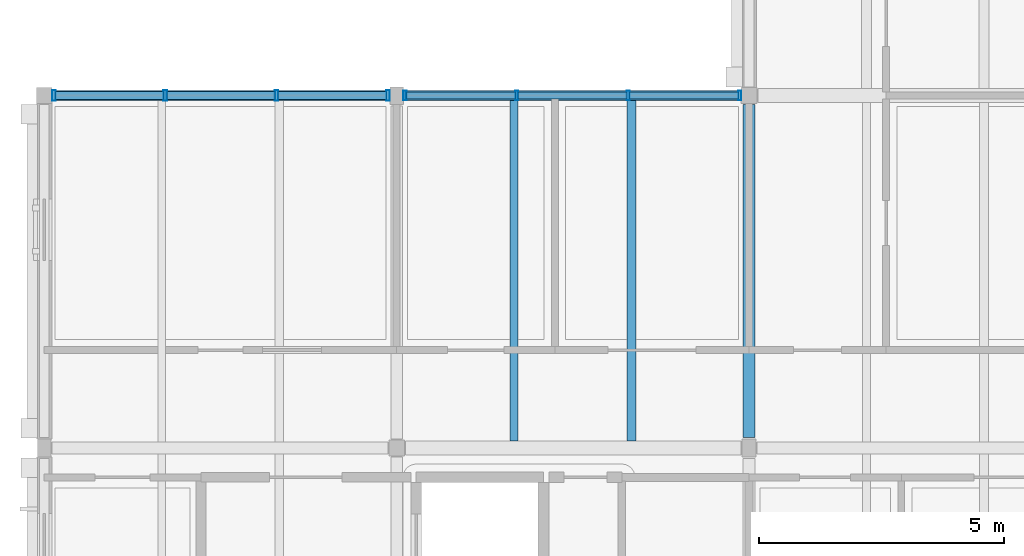
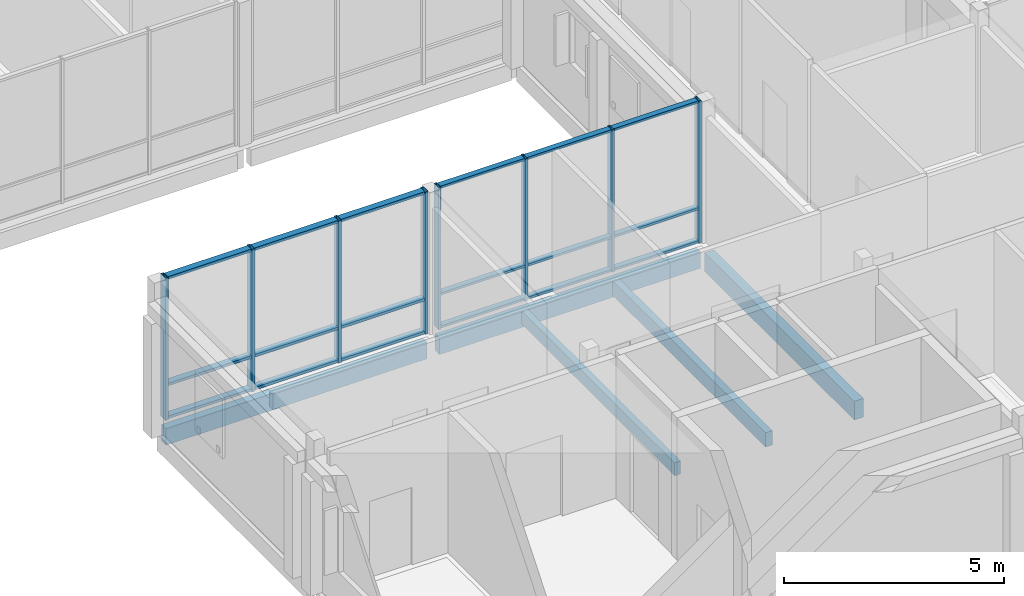
# One storey, part 5 of 115: 26 members, 5 beams, 2 elements without a shape of their own.
"""IFC4 building model written with IfcOpenShell, lengths in metres."""

import ifcopenshell
import ifcopenshell.guid

model = None  # the IFC model being written
_history = None  # IfcOwnerHistory: only IFC2X3 demands one
_inside = {}  # id of a spatial element -> (the spatial element, [elements in it])
_under = {}  # id of a project, library or spatial element -> (it, [spatial elements below it])
_declared = {}  # id of a project -> (the project, [libraries it declares])
_typed = {}  # id of a type object -> (the type object, [elements of that type])
_made_of = {}  # id of a material, layer set ... -> (it, [elements and type objects made of it])


def new_model(schema):
    """Start an empty IFC model of exactly this schema.

    Asked for "IFC4X3", IfcOpenShell would pick the latest addendum, in which some entities
    have other attributes; the version numbers below select the first issue.
    IFC2X3 requires an IfcOwnerHistory on every rooted entity: one is made here for all.
    """
    global model, _history
    if schema == "IFC4X3":
        model = ifcopenshell.file(schema_version=(4, 3, 0, 0))
    else:
        model = ifcopenshell.file(schema=schema)
    _inside.clear()
    _under.clear()
    _declared.clear()
    _typed.clear()
    _made_of.clear()
    _history = None
    if model.schema == "IFC2X3":
        org = make("IfcOrganization", Name="unknown")
        user = make(
            "IfcPersonAndOrganization",
            ThePerson=make("IfcPerson", FamilyName="unknown"),
            TheOrganization=org,
        )
        app = make(
            "IfcApplication",
            ApplicationDeveloper=org,
            Version="unknown",
            ApplicationFullName="unknown",
            ApplicationIdentifier="unknown",
        )
        _history = make(
            "IfcOwnerHistory",
            OwningUser=user,
            OwningApplication=app,
            ChangeAction="ADDED",
            CreationDate=0,
        )
    return model


def make(cls, **values):
    """One entity of the class cls with the attributes given. An attribute that is None is left unset."""
    return model.create_entity(
        cls, **{name: value for name, value in values.items() if value is not None}
    )


def rooted(cls, **values):
    """An entity with a GlobalId (a new one), such as an element, a storey or a relation."""
    return make(cls, GlobalId=ifcopenshell.guid.new(), OwnerHistory=_history, **values)


def si_unit(unit_type, name, prefix=None):
    """IfcSIUnit, for example si_unit("LENGTHUNIT", "METRE", prefix="MILLI")."""
    return make("IfcSIUnit", UnitType=unit_type, Prefix=prefix, Name=name)


def assignment(units):
    """IfcUnitAssignment: the units of a project."""
    return None if units is None else make("IfcUnitAssignment", Units=units)


def point(xyz):
    """IfcCartesianPoint."""
    return None if xyz is None else make("IfcCartesianPoint", Coordinates=xyz)


def direction(xyz):
    """IfcDirection."""
    return None if xyz is None else make("IfcDirection", DirectionRatios=xyz)


def frame(location, z_axis=None, x_axis=None):
    """IfcAxis2Placement3D, a coordinate frame: its origin and axes. An axis left out is left unset."""
    return make(
        "IfcAxis2Placement3D",
        Location=point(location),
        Axis=direction(z_axis),
        RefDirection=direction(x_axis),
    )


def frame_2d(location, x_axis=None):
    """IfcAxis2Placement2D, a coordinate frame in the plane: its origin and x axis."""
    return make(
        "IfcAxis2Placement2D", Location=point(location), RefDirection=direction(x_axis)
    )


def origin():
    """The frame at (0, 0, 0) with its axes left unset."""
    return frame((0.0, 0.0, 0.0))


def origin_2d():
    """The frame at (0, 0) in the plane with its x axis left unset."""
    return frame_2d((0.0, 0.0))


def place(relative_to, where):
    """IfcLocalPlacement: puts the frame where relative to a parent placement (None: the world)."""
    return make(
        "IfcLocalPlacement", PlacementRelTo=relative_to, RelativePlacement=where
    )


def context(
    kind, dimensions, precision=None, world=None, true_north=None, identifier=None
):
    """IfcGeometricRepresentationContext, for example the 3D "Model" context."""
    return make(
        "IfcGeometricRepresentationContext",
        ContextIdentifier=identifier,
        ContextType=kind,
        CoordinateSpaceDimension=dimensions,
        Precision=precision,
        WorldCoordinateSystem=world,
        TrueNorth=true_north,
    )


def subcontext(parent, identifier, kind, view, scale=None):
    """IfcGeometricRepresentationSubContext, for example "Body" below "Model"."""
    return make(
        "IfcGeometricRepresentationSubContext",
        ContextIdentifier=identifier,
        ContextType=kind,
        ParentContext=parent,
        TargetScale=scale,
        TargetView=view,
    )


def project(units=None, contexts=None):
    """IfcProject with its units and contexts."""
    return rooted(
        "IfcProject",
        Name="project",
        RepresentationContexts=contexts,
        UnitsInContext=assignment(units),
    )


def spatial(cls, under=None, at=None, **own):
    """A site, building, storey or space (cls), placed at a placement, below another one or the project."""
    s = rooted(cls, ObjectPlacement=at, **own)
    if under is not None:
        _under.setdefault(under.id(), (under, []))[1].append(s)
    return s


def profile(cls, at=None, kind="AREA", **sizes):
    """A parametric profile (cls). Its sizes go by their IFC names, for example OverallWidth=200.0."""
    return make(cls, ProfileType=kind, Position=at, **sizes)


def rectangle(**sizes):
    """IfcRectangleProfileDef."""
    return profile("IfcRectangleProfileDef", **sizes)


def hollow_rectangle(**sizes):
    """IfcRectangleHollowProfileDef."""
    return profile("IfcRectangleHollowProfileDef", **sizes)


def extrude(swept, where, along, depth):
    """IfcExtrudedAreaSolid: the profile swept, set in the frame where, extruded along a direction by depth."""
    return make(
        "IfcExtrudedAreaSolid",
        SweptArea=swept,
        Position=where,
        ExtrudedDirection=direction(along),
        Depth=depth,
    )


def shape(context_of_items, identifier, shape_type, items):
    """IfcShapeRepresentation: the items that make up one representation, for example the "Body"."""
    return make(
        "IfcShapeRepresentation",
        ContextOfItems=context_of_items,
        RepresentationIdentifier=identifier,
        RepresentationType=shape_type,
        Items=items,
    )


def material(Name=None, Category=None):
    """IfcMaterial."""
    return make("IfcMaterial", Name=Name, Category=Category)


def material_profile(
    of_material, cross_section, Name=None, Category=None, Priority=None
):
    """IfcMaterialProfile: a cross section and its material."""
    return make(
        "IfcMaterialProfile",
        Name=Name,
        Material=of_material,
        Profile=cross_section,
        Priority=Priority,
        Category=Category,
    )


def profile_set(profiles, Name=None, composite=None):
    """IfcMaterialProfileSet."""
    return make(
        "IfcMaterialProfileSet",
        Name=Name,
        MaterialProfiles=profiles,
        CompositeProfile=composite,
    )


def made_of(thing, what):
    """Note that an element or type object is made of a material, layer set ...; save() writes the relation."""
    if what is not None:
        _made_of.setdefault(what.id(), (what, []))[1].append(thing)
    return thing


def type_object(cls, material=None, **own):
    """A type object (cls), such as IfcWallType, which elements share."""
    return made_of(rooted(cls, **own), material)


def element(
    cls,
    number,
    at=None,
    inside=None,
    cuts=None,
    type_object=None,
    material=None,
    context=None,
    identifier="Body",
    shape_type=None,
    held_by="IfcProductDefinitionShape",
    body=None,
    shapes=None,
    **own,
):
    """One element of the class cls, such as IfcWall. Its Tag is "e" and its number.

    at: its placement. inside: the storey or other place that contains it. cuts: it is an
    opening in that element (IfcRelVoidsElement). A single representation is given by context,
    identifier, shape_type and body (its items); several are given by shapes. held_by: the class
    of the entity that holds the representations. save() writes the other relations.
    """
    e = rooted(cls, Tag="e%d" % number, ObjectPlacement=at, **own)
    if body is not None:
        shapes = [shape(context, identifier, shape_type, body)]
    if shapes is not None:
        e.Representation = make(held_by, Representations=shapes)
    if inside is not None:
        _inside.setdefault(inside.id(), (inside, []))[1].append(e)
    if cuts is not None:
        rooted(
            "IfcRelVoidsElement", RelatingBuildingElement=cuts, RelatedOpeningElement=e
        )
    if type_object is not None:
        _typed.setdefault(type_object.id(), (type_object, []))[1].append(e)
    return made_of(e, material)


def aggregate(whole, parts):
    """IfcRelAggregates: a whole, such as a stair, and the parts it consists of."""
    return rooted("IfcRelAggregates", RelatingObject=whole, RelatedObjects=parts)


def save(model, path):
    """Write the relations noted so far, then the file.

    IfcRelAggregates (storeys below a building ...), IfcRelContainedInSpatialStructure (elements
    in a storey), IfcRelDefinesByType, IfcRelAssociatesMaterial and IfcRelDeclares: one each for
    every whole, place, type object, material and project.
    """
    for whole, parts in _under.values():
        aggregate(whole, parts)
    for where, things in _inside.values():
        rooted(
            "IfcRelContainedInSpatialStructure",
            RelatedElements=things,
            RelatingStructure=where,
        )
    for kind, things in _typed.values():
        rooted("IfcRelDefinesByType", RelatedObjects=things, RelatingType=kind)
    for what, things in _made_of.values():
        rooted("IfcRelAssociatesMaterial", RelatedObjects=things, RelatingMaterial=what)
    for by, libraries in _declared.values():
        rooted("IfcRelDeclares", RelatingContext=by, RelatedDefinitions=libraries)
    model.write(path)


model = new_model("IFC4")

# Units and contexts
model_context = context("Model", 3, precision=1e-05, world=origin(), true_north=direction((0.0, 1.0)))
body_context = subcontext(model_context, "Body", "Model", "MODEL_VIEW")
ifc_project = project(units=[si_unit("LENGTHUNIT", "METRE"), si_unit("AREAUNIT", "SQUARE_METRE"), si_unit("VOLUMEUNIT", "CUBIC_METRE"), si_unit("PLANEANGLEUNIT", "RADIAN"), si_unit("MASSUNIT", "GRAM", prefix="KILO")], contexts=[model_context])

# Site, building, storey
site_placement = place(None, origin())
site = spatial("IfcSite", under=ifc_project, at=site_placement, CompositionType="ELEMENT")
building_placement = place(site_placement, origin())
building = spatial("IfcBuilding", under=site, at=building_placement, Name="Hawrajan Terrace Health Centre", CompositionType="ELEMENT")
storey_placement = place(building_placement, frame((0.0, 0.0, 9.0)))
storey = spatial("IfcBuildingStorey", under=building, at=storey_placement, Name="L02", CompositionType="ELEMENT", Elevation=9.0)

# Curtain wall, members
ifc_material_1 = material(Name="Anodized bronze aluminium and low-E solar glazing", Category="aluminium")
curtain_wall_type_1 = type_object("IfcCurtainWallType", Name="CW_Setback_SeriesL1", PredefinedType="USERDEFINED", material=ifc_material_1)
curtain_wall_1_placement = place(storey_placement, origin())
curtain_wall_1 = element("IfcCurtainWall", 1, at=curtain_wall_1_placement, inside=storey, type_object=curtain_wall_type_1, Name="Curtain wall CW-L02-118", ObjectType="UNITISED CURTAIN WALL", PredefinedType="USERDEFINED")
ifc_material_2 = material(Name="Anodized bronze aluminium 6063-T6", Category="aluminium")
ifc_material_profile_1 = material_profile(ifc_material_2, hollow_rectangle(XDim=0.06494140625, YDim=0.199951171875, WallThickness=0.00439453125, at=origin_2d()), Name="CW MUL 65x200")
ifc_profile_set_1 = profile_set([ifc_material_profile_1], Name="Anodized bronze aluminium 6063-T6")
member_type_1 = type_object("IfcMemberType", Name="CWMullion_65x200", PredefinedType="MULLION", material=ifc_profile_set_1)
member_1_placement = place(storey_placement, frame((11.972412109375, 18.60009765625, -0.0048828125), z_axis=(0.0, 0.0, 1.0), x_axis=(1.0, 0.0, 0.0)))
member_1 = element("IfcMember", 2, at=member_1_placement, type_object=member_type_1, Name="Mullion CW-L02-118-M1", PredefinedType="MULLION", context=body_context, shape_type="SweptSolid", body=[
    extrude(hollow_rectangle(XDim=0.06494140625, YDim=0.199951171875, WallThickness=0.00439453125, at=origin_2d()), origin(), (0.0, 0.0, 1.0), 3.9599609375),
])
member_2_placement = place(storey_placement, frame((14.250732421875, 18.60009765625, -0.0048828125), z_axis=(0.0, 0.0, 1.0), x_axis=(1.0, 0.0, 0.0)))
member_2 = element("IfcMember", 3, at=member_2_placement, type_object=member_type_1, Name="Mullion CW-L02-118-M2", PredefinedType="MULLION", context=body_context, shape_type="SweptSolid", body=[
    extrude(hollow_rectangle(XDim=0.06494140625, YDim=0.199951171875, WallThickness=0.00439453125, at=origin_2d()), origin(), (0.0, 0.0, 1.0), 3.9599609375),
])
member_3_placement = place(storey_placement, frame((16.529296875, 18.60009765625, -0.0048828125), z_axis=(0.0, 0.0, 1.0), x_axis=(1.0, 0.0, 0.0)))
member_3 = element("IfcMember", 4, at=member_3_placement, type_object=member_type_1, Name="Mullion CW-L02-118-M3", PredefinedType="MULLION", context=body_context, shape_type="SweptSolid", body=[
    extrude(hollow_rectangle(XDim=0.06494140625, YDim=0.199951171875, WallThickness=0.00439453125, at=origin_2d()), origin(), (0.0, 0.0, 1.0), 3.9599609375),
])
member_4_placement = place(storey_placement, frame((18.8076171875, 18.60009765625, -0.0048828125), z_axis=(0.0, 0.0, 1.0), x_axis=(1.0, 0.0, 0.0)))
member_4 = element("IfcMember", 5, at=member_4_placement, type_object=member_type_1, Name="Mullion CW-L02-118-M4", PredefinedType="MULLION", context=body_context, shape_type="SweptSolid", body=[
    extrude(hollow_rectangle(XDim=0.06494140625, YDim=0.199951171875, WallThickness=0.00439453125, at=origin_2d()), origin(), (0.0, 0.0, 1.0), 3.9599609375),
])

curtain_wall_type_2 = type_object("IfcCurtainWallType", Name="CW_Bridge_SeriesJ1", PredefinedType="USERDEFINED", material=ifc_material_1)
curtain_wall_2_placement = place(storey_placement, origin())
curtain_wall_2 = element("IfcCurtainWall", 6, at=curtain_wall_2_placement, inside=storey, type_object=curtain_wall_type_2, Name="Curtain wall CW-L02-116", ObjectType="UNITISED CURTAIN WALL", PredefinedType="USERDEFINED")
ifc_material_profile_2 = material_profile(ifc_material_2, hollow_rectangle(XDim=0.074951171875, YDim=0.219970703125, WallThickness=0.0048828125, at=origin_2d()), Name="CW MUL 75x220")
ifc_profile_set_2 = profile_set([ifc_material_profile_2], Name="Anodized bronze aluminium 6063-T6")
member_type_2 = type_object("IfcMemberType", Name="CWMullion_75x220", PredefinedType="MULLION", material=ifc_profile_set_2)
member_5_placement = place(storey_placement, frame((4.797607421875, 18.60009765625, -0.0048828125), z_axis=(0.0, 0.0, 1.0), x_axis=(1.0, 0.0, 0.0)))
member_5 = element("IfcMember", 7, at=member_5_placement, type_object=member_type_2, Name="Mullion CW-L02-116-M1", PredefinedType="MULLION", context=body_context, shape_type="SweptSolid", body=[
    extrude(hollow_rectangle(XDim=0.074951171875, YDim=0.219970703125, WallThickness=0.0048828125, at=origin_2d()), origin(), (0.0, 0.0, 1.0), 3.9599609375),
])
member_6_placement = place(storey_placement, frame((7.072509765625, 18.60009765625, -0.0048828125), z_axis=(0.0, 0.0, 1.0), x_axis=(1.0, 0.0, 0.0)))
member_6 = element("IfcMember", 8, at=member_6_placement, type_object=member_type_2, Name="Mullion CW-L02-116-M2", PredefinedType="MULLION", context=body_context, shape_type="SweptSolid", body=[
    extrude(hollow_rectangle(XDim=0.074951171875, YDim=0.219970703125, WallThickness=0.0048828125, at=origin_2d()), origin(), (0.0, 0.0, 1.0), 3.9599609375),
])
member_7_placement = place(storey_placement, frame((9.347412109375, 18.60009765625, -0.0048828125), z_axis=(0.0, 0.0, 1.0), x_axis=(1.0, 0.0, 0.0)))
member_7 = element("IfcMember", 9, at=member_7_placement, type_object=member_type_2, Name="Mullion CW-L02-116-M3", PredefinedType="MULLION", context=body_context, shape_type="SweptSolid", body=[
    extrude(hollow_rectangle(XDim=0.074951171875, YDim=0.219970703125, WallThickness=0.0048828125, at=origin_2d()), origin(), (0.0, 0.0, 1.0), 3.9599609375),
])
member_8_placement = place(storey_placement, frame((11.62255859375, 18.60009765625, -0.0048828125), z_axis=(0.0, 0.0, 1.0), x_axis=(1.0, 0.0, 0.0)))
member_8 = element("IfcMember", 10, at=member_8_placement, type_object=member_type_2, Name="Mullion CW-L02-116-M4", PredefinedType="MULLION", context=body_context, shape_type="SweptSolid", body=[
    extrude(hollow_rectangle(XDim=0.074951171875, YDim=0.219970703125, WallThickness=0.0048828125, at=origin_2d()), origin(), (0.0, 0.0, 1.0), 3.9599609375),
])

# Member
ifc_material_profile_3 = material_profile(ifc_material_2, hollow_rectangle(XDim=0.06494140625, YDim=0.14990234375, WallThickness=0.00390625, at=origin_2d()), Name="CW TRN 65x150")
ifc_profile_set_3 = profile_set([ifc_material_profile_3], Name="Anodized bronze aluminium 6063-T6")
member_type_3 = type_object("IfcMemberType", Name="CWTransom_65x150", PredefinedType="USERDEFINED", material=ifc_profile_set_3)
member_9_placement = place(storey_placement, frame((11.9990234375, 18.60009765625, 0.032470703125), z_axis=(1.0, 0.0, 0.0), x_axis=(0.0, 0.0, 1.0)))
member_9 = element("IfcMember", 11, at=member_9_placement, type_object=member_type_3, Name="Transom CW-L02-118-T1-1", ObjectType="TRANSOM", PredefinedType="USERDEFINED", context=body_context, shape_type="SweptSolid", body=[
    extrude(hollow_rectangle(XDim=0.06494140625, YDim=0.14990234375, WallThickness=0.00390625, at=origin_2d()), origin(), (0.0, 0.0, 1.0), 2.225341796875),
])

member_10_placement = place(storey_placement, frame((11.9990234375, 18.60009765625, 0.949951171875), z_axis=(1.0, 0.0, 0.0), x_axis=(0.0, 0.0, 1.0)))
member_10 = element("IfcMember", 12, at=member_10_placement, type_object=member_type_3, Name="Transom CW-L02-118-T1-2", ObjectType="TRANSOM", PredefinedType="USERDEFINED", context=body_context, shape_type="SweptSolid", body=[
    extrude(hollow_rectangle(XDim=0.06494140625, YDim=0.14990234375, WallThickness=0.00390625, at=origin_2d()), origin(), (0.0, 0.0, 1.0), 2.225341796875),
])

member_11_placement = place(storey_placement, frame((11.9990234375, 18.60009765625, 3.91748046875), z_axis=(1.0, 0.0, 0.0), x_axis=(0.0, 0.0, 1.0)))
member_11 = element("IfcMember", 13, at=member_11_placement, type_object=member_type_3, Name="Transom CW-L02-118-T1-3", ObjectType="TRANSOM", PredefinedType="USERDEFINED", context=body_context, shape_type="SweptSolid", body=[
    extrude(hollow_rectangle(XDim=0.06494140625, YDim=0.14990234375, WallThickness=0.00390625, at=origin_2d()), origin(), (0.0, 0.0, 1.0), 2.225341796875),
])

member_12_placement = place(storey_placement, frame((14.27734375, 18.60009765625, 0.032470703125), z_axis=(1.0, 0.0, 0.0), x_axis=(0.0, 0.0, 1.0)))
member_12 = element("IfcMember", 14, at=member_12_placement, type_object=member_type_3, Name="Transom CW-L02-118-T2-1", ObjectType="TRANSOM", PredefinedType="USERDEFINED", context=body_context, shape_type="SweptSolid", body=[
    extrude(hollow_rectangle(XDim=0.06494140625, YDim=0.14990234375, WallThickness=0.00390625, at=origin_2d()), origin(), (0.0, 0.0, 1.0), 2.225341796875),
])

member_13_placement = place(storey_placement, frame((14.27734375, 18.60009765625, 0.949951171875), z_axis=(1.0, 0.0, 0.0), x_axis=(0.0, 0.0, 1.0)))
member_13 = element("IfcMember", 15, at=member_13_placement, type_object=member_type_3, Name="Transom CW-L02-118-T2-2", ObjectType="TRANSOM", PredefinedType="USERDEFINED", context=body_context, shape_type="SweptSolid", body=[
    extrude(hollow_rectangle(XDim=0.06494140625, YDim=0.14990234375, WallThickness=0.00390625, at=origin_2d()), origin(), (0.0, 0.0, 1.0), 2.225341796875),
])

member_14_placement = place(storey_placement, frame((14.27734375, 18.60009765625, 3.91748046875), z_axis=(1.0, 0.0, 0.0), x_axis=(0.0, 0.0, 1.0)))
member_14 = element("IfcMember", 16, at=member_14_placement, type_object=member_type_3, Name="Transom CW-L02-118-T2-3", ObjectType="TRANSOM", PredefinedType="USERDEFINED", context=body_context, shape_type="SweptSolid", body=[
    extrude(hollow_rectangle(XDim=0.06494140625, YDim=0.14990234375, WallThickness=0.00390625, at=origin_2d()), origin(), (0.0, 0.0, 1.0), 2.225341796875),
])

member_15_placement = place(storey_placement, frame((16.5556640625, 18.60009765625, 0.032470703125), z_axis=(1.0, 0.0, 0.0), x_axis=(0.0, 0.0, 1.0)))
member_15 = element("IfcMember", 17, at=member_15_placement, type_object=member_type_3, Name="Transom CW-L02-118-T3-1", ObjectType="TRANSOM", PredefinedType="USERDEFINED", context=body_context, shape_type="SweptSolid", body=[
    extrude(hollow_rectangle(XDim=0.06494140625, YDim=0.14990234375, WallThickness=0.00390625, at=origin_2d()), origin(), (0.0, 0.0, 1.0), 2.225341796875),
])

member_16_placement = place(storey_placement, frame((16.5556640625, 18.60009765625, 0.949951171875), z_axis=(1.0, 0.0, 0.0), x_axis=(0.0, 0.0, 1.0)))
member_16 = element("IfcMember", 18, at=member_16_placement, type_object=member_type_3, Name="Transom CW-L02-118-T3-2", ObjectType="TRANSOM", PredefinedType="USERDEFINED", context=body_context, shape_type="SweptSolid", body=[
    extrude(hollow_rectangle(XDim=0.06494140625, YDim=0.14990234375, WallThickness=0.00390625, at=origin_2d()), origin(), (0.0, 0.0, 1.0), 2.225341796875),
])

member_17_placement = place(storey_placement, frame((16.5556640625, 18.60009765625, 3.91748046875), z_axis=(1.0, 0.0, 0.0), x_axis=(0.0, 0.0, 1.0)))
member_17 = element("IfcMember", 19, at=member_17_placement, type_object=member_type_3, Name="Transom CW-L02-118-T3-3", ObjectType="TRANSOM", PredefinedType="USERDEFINED", context=body_context, shape_type="SweptSolid", body=[
    extrude(hollow_rectangle(XDim=0.06494140625, YDim=0.14990234375, WallThickness=0.00390625, at=origin_2d()), origin(), (0.0, 0.0, 1.0), 2.225341796875),
])

aggregate(curtain_wall_1, [member_1, member_2, member_3, member_4, member_9, member_10, member_11, member_12, member_13, member_14, member_15, member_16, member_17])

ifc_material_profile_4 = material_profile(ifc_material_2, hollow_rectangle(XDim=0.074951171875, YDim=0.169921875, WallThickness=0.00439453125, at=origin_2d()), Name="CW TRN 75x170")
ifc_profile_set_4 = profile_set([ifc_material_profile_4], Name="Anodized bronze aluminium 6063-T6")
member_type_4 = type_object("IfcMemberType", Name="CWTransom_75x170", PredefinedType="USERDEFINED", material=ifc_profile_set_4)
member_18_placement = place(storey_placement, frame((4.8291015625, 18.60009765625, 0.03759765625), z_axis=(1.0, 0.0, 0.0), x_axis=(0.0, 0.0, 1.0)))
member_18 = element("IfcMember", 20, at=member_18_placement, type_object=member_type_4, Name="Transom CW-L02-116-T1-1", ObjectType="TRANSOM", PredefinedType="USERDEFINED", context=body_context, shape_type="SweptSolid", body=[
    extrude(hollow_rectangle(XDim=0.074951171875, YDim=0.169921875, WallThickness=0.00439453125, at=origin_2d()), origin(), (0.0, 0.0, 1.0), 2.2119140625),
])

member_19_placement = place(storey_placement, frame((4.8291015625, 18.60009765625, 0.949951171875), z_axis=(1.0, 0.0, 0.0), x_axis=(0.0, 0.0, 1.0)))
member_19 = element("IfcMember", 21, at=member_19_placement, type_object=member_type_4, Name="Transom CW-L02-116-T1-2", ObjectType="TRANSOM", PredefinedType="USERDEFINED", context=body_context, shape_type="SweptSolid", body=[
    extrude(hollow_rectangle(XDim=0.074951171875, YDim=0.169921875, WallThickness=0.00439453125, at=origin_2d()), origin(), (0.0, 0.0, 1.0), 2.2119140625),
])

member_20_placement = place(storey_placement, frame((4.8291015625, 18.60009765625, 3.91259765625), z_axis=(1.0, 0.0, 0.0), x_axis=(0.0, 0.0, 1.0)))
member_20 = element("IfcMember", 22, at=member_20_placement, type_object=member_type_4, Name="Transom CW-L02-116-T1-3", ObjectType="TRANSOM", PredefinedType="USERDEFINED", context=body_context, shape_type="SweptSolid", body=[
    extrude(hollow_rectangle(XDim=0.074951171875, YDim=0.169921875, WallThickness=0.00439453125, at=origin_2d()), origin(), (0.0, 0.0, 1.0), 2.2119140625),
])

member_21_placement = place(storey_placement, frame((7.10400390625, 18.60009765625, 0.03759765625), z_axis=(1.0, 0.0, 0.0), x_axis=(0.0, 0.0, 1.0)))
member_21 = element("IfcMember", 23, at=member_21_placement, type_object=member_type_4, Name="Transom CW-L02-116-T2-1", ObjectType="TRANSOM", PredefinedType="USERDEFINED", context=body_context, shape_type="SweptSolid", body=[
    extrude(hollow_rectangle(XDim=0.074951171875, YDim=0.169921875, WallThickness=0.00439453125, at=origin_2d()), origin(), (0.0, 0.0, 1.0), 2.2119140625),
])

member_22_placement = place(storey_placement, frame((7.10400390625, 18.60009765625, 0.949951171875), z_axis=(1.0, 0.0, 0.0), x_axis=(0.0, 0.0, 1.0)))
member_22 = element("IfcMember", 24, at=member_22_placement, type_object=member_type_4, Name="Transom CW-L02-116-T2-2", ObjectType="TRANSOM", PredefinedType="USERDEFINED", context=body_context, shape_type="SweptSolid", body=[
    extrude(hollow_rectangle(XDim=0.074951171875, YDim=0.169921875, WallThickness=0.00439453125, at=origin_2d()), origin(), (0.0, 0.0, 1.0), 2.2119140625),
])

member_23_placement = place(storey_placement, frame((7.10400390625, 18.60009765625, 3.91259765625), z_axis=(1.0, 0.0, 0.0), x_axis=(0.0, 0.0, 1.0)))
member_23 = element("IfcMember", 25, at=member_23_placement, type_object=member_type_4, Name="Transom CW-L02-116-T2-3", ObjectType="TRANSOM", PredefinedType="USERDEFINED", context=body_context, shape_type="SweptSolid", body=[
    extrude(hollow_rectangle(XDim=0.074951171875, YDim=0.169921875, WallThickness=0.00439453125, at=origin_2d()), origin(), (0.0, 0.0, 1.0), 2.2119140625),
])

member_24_placement = place(storey_placement, frame((9.37890625, 18.60009765625, 0.03759765625), z_axis=(1.0, 0.0, 0.0), x_axis=(0.0, 0.0, 1.0)))
member_24 = element("IfcMember", 26, at=member_24_placement, type_object=member_type_4, Name="Transom CW-L02-116-T3-1", ObjectType="TRANSOM", PredefinedType="USERDEFINED", context=body_context, shape_type="SweptSolid", body=[
    extrude(hollow_rectangle(XDim=0.074951171875, YDim=0.169921875, WallThickness=0.00439453125, at=origin_2d()), origin(), (0.0, 0.0, 1.0), 2.212158203125),
])

member_25_placement = place(storey_placement, frame((9.37890625, 18.60009765625, 0.949951171875), z_axis=(1.0, 0.0, 0.0), x_axis=(0.0, 0.0, 1.0)))
member_25 = element("IfcMember", 27, at=member_25_placement, type_object=member_type_4, Name="Transom CW-L02-116-T3-2", ObjectType="TRANSOM", PredefinedType="USERDEFINED", context=body_context, shape_type="SweptSolid", body=[
    extrude(hollow_rectangle(XDim=0.074951171875, YDim=0.169921875, WallThickness=0.00439453125, at=origin_2d()), origin(), (0.0, 0.0, 1.0), 2.212158203125),
])

member_26_placement = place(storey_placement, frame((9.37890625, 18.60009765625, 3.91259765625), z_axis=(1.0, 0.0, 0.0), x_axis=(0.0, 0.0, 1.0)))
member_26 = element("IfcMember", 28, at=member_26_placement, type_object=member_type_4, Name="Transom CW-L02-116-T3-3", ObjectType="TRANSOM", PredefinedType="USERDEFINED", context=body_context, shape_type="SweptSolid", body=[
    extrude(hollow_rectangle(XDim=0.074951171875, YDim=0.169921875, WallThickness=0.00439453125, at=origin_2d()), origin(), (0.0, 0.0, 1.0), 2.212158203125),
])

aggregate(curtain_wall_2, [member_5, member_6, member_7, member_8, member_18, member_19, member_20, member_21, member_22, member_23, member_24, member_25, member_26])

# Beams
ifc_material_3 = material(Name="Glulam GL32h", Category="wood")
ifc_material_profile_5 = material_profile(ifc_material_3, rectangle(XDim=0.239990234375, YDim=0.52001953125, at=origin_2d()), Name="GL BM 240x520")
ifc_profile_set_5 = profile_set([ifc_material_profile_5], Name="Glulam GL32h")
beam_type_1 = type_object("IfcBeamType", Name="GlulamGirder_240x520", PredefinedType="BEAM", material=ifc_profile_set_5)
beam_1_placement = place(storey_placement, frame((19.0, 11.610107421875, -0.5), z_axis=(0.0, 1.0, 0.0), x_axis=(-1.0, 0.0, 0.0)))
element("IfcBeam", 29, at=beam_1_placement, inside=storey, type_object=beam_type_1, Name="Beam BM-Y-L02-W-X03-2", PredefinedType="BEAM", context=body_context, shape_type="SweptSolid", body=[
    extrude(rectangle(XDim=0.239990234375, YDim=0.52001953125, at=origin_2d()), origin(), (0.0, 0.0, 1.0), 6.809814453125),
])
ifc_material_4 = material(Name="Glulam GL28h", Category="wood")
ifc_material_profile_6 = material_profile(ifc_material_4, rectangle(XDim=0.159912109375, YDim=0.360107421875, at=origin_2d()), Name="GL JST 160x360")
ifc_profile_set_6 = profile_set([ifc_material_profile_6], Name="Glulam GL28h")
beam_type_2 = type_object("IfcBeamType", Name="GlulamJoist_160x360", PredefinedType="JOIST", material=ifc_profile_set_6)
beam_2_placement = place(storey_placement, frame((14.199951171875, 11.5400390625, -0.419921875), z_axis=(0.0, 1.0, 0.0), x_axis=(-1.0, 0.0, 0.0)))
element("IfcBeam", 30, at=beam_2_placement, inside=storey, type_object=beam_type_2, Name="Secondary joist JST-L02-W-02-2-1", PredefinedType="JOIST", context=body_context, shape_type="SweptSolid", body=[
    extrude(rectangle(XDim=0.159912109375, YDim=0.360107421875, at=origin_2d()), origin(), (0.0, 0.0, 1.0), 6.9599609375),
])
ifc_material_profile_7 = material_profile(ifc_material_4, rectangle(XDim=0.179931640625, YDim=0.39990234375, at=origin_2d()), Name="GL JST 180x400")
ifc_profile_set_7 = profile_set([ifc_material_profile_7], Name="Glulam GL28h")
beam_type_3 = type_object("IfcBeamType", Name="GlulamJoist_180x400", PredefinedType="JOIST", material=ifc_profile_set_7)
beam_3_placement = place(storey_placement, frame((16.60009765625, 11.5400390625, -0.43994140625), z_axis=(0.0, 1.0, 0.0), x_axis=(-1.0, 0.0, 0.0)))
element("IfcBeam", 31, at=beam_3_placement, inside=storey, type_object=beam_type_3, Name="Secondary joist JST-L02-W-02-2-2", PredefinedType="JOIST", context=body_context, shape_type="SweptSolid", body=[
    extrude(rectangle(XDim=0.179931640625, YDim=0.39990234375, at=origin_2d()), origin(), (0.0, 0.0, 1.0), 6.9599609375),
])
ifc_material_profile_8 = material_profile(ifc_material_3, rectangle(XDim=0.199951171875, YDim=0.4599609375, at=origin_2d()), Name="GL SP 200x460")
ifc_profile_set_8 = profile_set([ifc_material_profile_8], Name="Glulam GL32h")
beam_type_4 = type_object("IfcBeamType", Name="GlulamSpandrel_200x460", PredefinedType="SPANDREL", material=ifc_profile_set_8)
beam_4_placement = place(storey_placement, frame((4.780029296875, 18.60009765625, -0.469970703125), z_axis=(1.0, 0.0, 0.0), x_axis=(0.0, 1.0, 0.0)))
element("IfcBeam", 32, at=beam_4_placement, inside=storey, type_object=beam_type_4, Name="Beam BM-X-L02-W-01-Y3", PredefinedType="SPANDREL", context=body_context, shape_type="SweptSolid", body=[
    extrude(rectangle(XDim=0.199951171875, YDim=0.4599609375, at=origin_2d()), origin(), (0.0, 0.0, 1.0), 6.85986328125),
])
beam_5_placement = place(storey_placement, frame((11.9599609375, 18.60009765625, -0.469970703125), z_axis=(1.0, 0.0, 0.0), x_axis=(0.0, 1.0, 0.0)))
element("IfcBeam", 33, at=beam_5_placement, inside=storey, type_object=beam_type_4, Name="Beam BM-X-L02-W-02-Y3", PredefinedType="SPANDREL", context=body_context, shape_type="SweptSolid", body=[
    extrude(rectangle(XDim=0.199951171875, YDim=0.4599609375, at=origin_2d()), origin(), (0.0, 0.0, 1.0), 6.860107421875),
])

save(model, "model.ifc")
